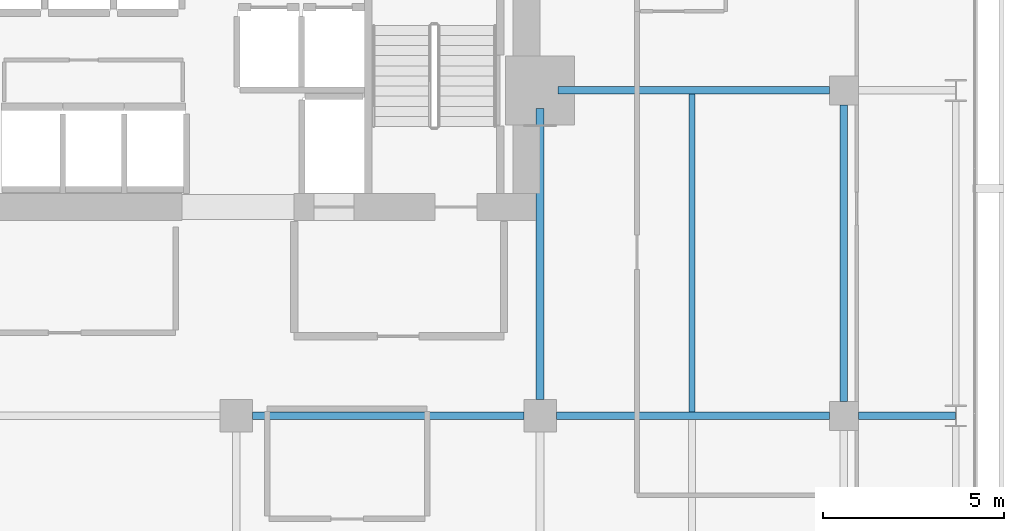
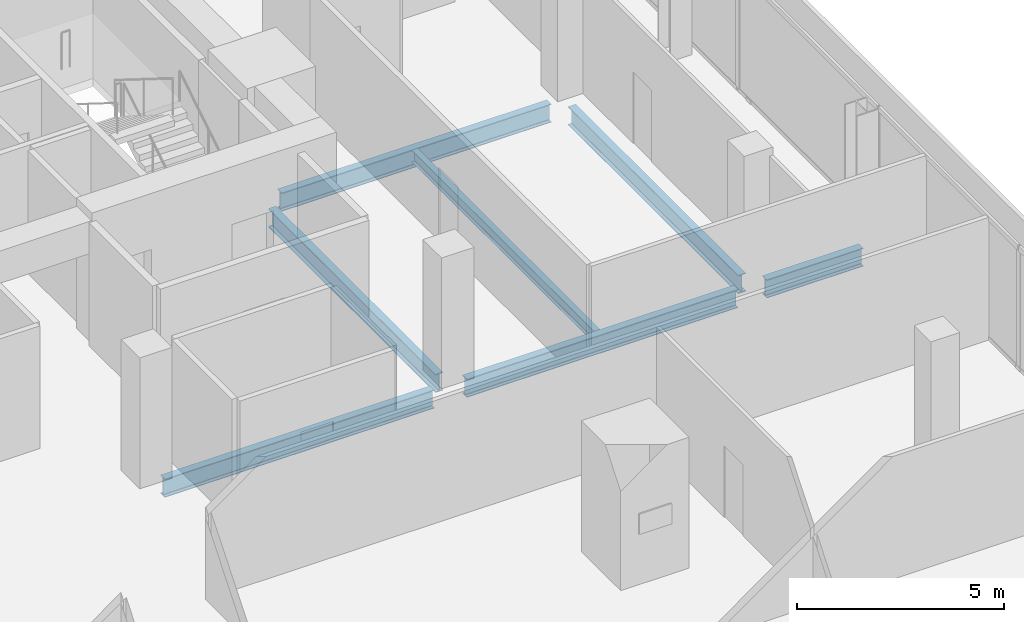
# One storey, part 23 of 33: 7 beams.
"""IFC4 building model written with IfcOpenShell, lengths in metres."""

from ifc_helpers import new_model, si_unit, direction, frame, origin, origin_2d, place, context, subcontext, project, spatial, i_section, extrude, material, material_profile, profile_set, type_object, element, save


model = new_model("IFC4")

# Units and contexts
model_context = context("Model", 3, precision=1e-05, world=origin(), true_north=direction((0.0, 1.0)))
body_context = subcontext(model_context, "Body", "Model", "MODEL_VIEW")
ifc_project = project(units=[si_unit("LENGTHUNIT", "METRE"), si_unit("AREAUNIT", "SQUARE_METRE"), si_unit("VOLUMEUNIT", "CUBIC_METRE"), si_unit("PLANEANGLEUNIT", "RADIAN"), si_unit("MASSUNIT", "GRAM", prefix="KILO")], contexts=[model_context])

# Site, building, storey
site_placement = place(None, origin())
site = spatial("IfcSite", under=ifc_project, at=site_placement, CompositionType="ELEMENT")
building_placement = place(site_placement, origin())
building = spatial("IfcBuilding", under=site, at=building_placement, Name="Maruvema Waterfront Hotel and Observation Tower", CompositionType="ELEMENT")
storey_placement = place(building_placement, frame((0.0, 0.0, 196.699951171875)))
storey = spatial("IfcBuildingStorey", under=building, at=storey_placement, Name="L48", CompositionType="ELEMENT", Elevation=196.699951171875)

# Beams
ifc_material_1 = material(Name="Steel ASTM A572 Grade 50", Category="steel")
ifc_material_profile_1 = material_profile(ifc_material_1, i_section(OverallWidth=0.2109375, OverallDepth=0.5390625, WebThickness=0.01171875, FlangeThickness=0.018798828125, FilletRadius=0.014892578125, at=origin_2d()), Name="W530x109.0")
ifc_profile_set_1 = profile_set([ifc_material_profile_1], Name="Steel ASTM A572 Grade 50")
beam_type_1 = type_object("IfcBeamType", Name="Primary Floor Girder W530x109.0", PredefinedType="BEAM", material=ifc_profile_set_1)
beam_1_placement = place(storey_placement, frame((42.449951171875, 36.0, -0.509521484375), z_axis=(1.0, 0.0, 0.0), x_axis=(0.0, 1.0, 0.0)))
element("IfcBeam", 1, at=beam_1_placement, inside=storey, type_object=beam_type_1, Name="L48 Floor Girder EW-27", PredefinedType="BEAM", context=body_context, shape_type="SweptSolid", body=[
    extrude(i_section(OverallWidth=0.2109375, OverallDepth=0.5390625, WebThickness=0.01171875, FlangeThickness=0.018798828125, FilletRadius=0.014892578125, at=origin_2d()), origin(), (0.0, 0.0, 1.0), 7.5),
])
beam_2_placement = place(storey_placement, frame((50.85009765625, 36.0, -0.509521484375), z_axis=(1.0, 0.0, 0.0), x_axis=(0.0, 1.0, 0.0)))
element("IfcBeam", 2, at=beam_2_placement, inside=storey, type_object=beam_type_1, Name="L48 Floor Girder EW-28", PredefinedType="BEAM", context=body_context, shape_type="SweptSolid", body=[
    extrude(i_section(OverallWidth=0.2109375, OverallDepth=0.5390625, WebThickness=0.01171875, FlangeThickness=0.018798828125, FilletRadius=0.014892578125, at=origin_2d()), origin(), (0.0, 0.0, 1.0), 7.5498046875),
])
beam_3_placement = place(storey_placement, frame((59.199951171875, 36.0, -0.509521484375), z_axis=(1.0, 0.0, 0.0), x_axis=(0.0, 1.0, 0.0)))
element("IfcBeam", 3, at=beam_3_placement, inside=storey, type_object=beam_type_1, Name="L48 Floor Girder EW-29", PredefinedType="BEAM", context=body_context, shape_type="SweptSolid", body=[
    extrude(i_section(OverallWidth=0.2109375, OverallDepth=0.5390625, WebThickness=0.01171875, FlangeThickness=0.018798828125, FilletRadius=0.014892578125, at=origin_2d()), origin(), (0.0, 0.0, 1.0), 2.6875),
])
beam_4_placement = place(storey_placement, frame((50.89990234375, 45.0, -0.509521484375), z_axis=(1.0, 0.0, 0.0), x_axis=(0.0, 1.0, 0.0)))
element("IfcBeam", 4, at=beam_4_placement, inside=storey, type_object=beam_type_1, Name="L48 Floor Girder EW-32", PredefinedType="BEAM", context=body_context, shape_type="SweptSolid", body=[
    extrude(i_section(OverallWidth=0.2109375, OverallDepth=0.5390625, WebThickness=0.01171875, FlangeThickness=0.018798828125, FilletRadius=0.014892578125, at=origin_2d()), origin(), (0.0, 0.0, 1.0), 7.5),
])
beam_5_placement = place(storey_placement, frame((50.39990234375, 36.449951171875, -0.509521484375), z_axis=(0.0, 1.0, 0.0), x_axis=(-1.0, 0.0, 0.0)))
element("IfcBeam", 5, at=beam_5_placement, inside=storey, type_object=beam_type_1, Name="L48 Floor Girder NS-24", PredefinedType="BEAM", context=body_context, shape_type="SweptSolid", body=[
    extrude(i_section(OverallWidth=0.2109375, OverallDepth=0.5390625, WebThickness=0.01171875, FlangeThickness=0.018798828125, FilletRadius=0.014892578125, at=origin_2d()), origin(), (0.0, 0.0, 1.0), 8.050048828125),
])
beam_6_placement = place(storey_placement, frame((58.800048828125, 36.39990234375, -0.509521484375), z_axis=(0.0, 1.0, 0.0), x_axis=(-1.0, 0.0, 0.0)))
element("IfcBeam", 6, at=beam_6_placement, inside=storey, type_object=beam_type_1, Name="L48 Floor Girder NS-28", PredefinedType="BEAM", context=body_context, shape_type="SweptSolid", body=[
    extrude(i_section(OverallWidth=0.2109375, OverallDepth=0.5390625, WebThickness=0.01171875, FlangeThickness=0.018798828125, FilletRadius=0.014892578125, at=origin_2d()), origin(), (0.0, 0.0, 1.0), 8.2001953125),
])
ifc_material_2 = material(Name="Steel ASTM A572 Grade 50", Category="steel")
ifc_material_profile_2 = material_profile(ifc_material_2, i_section(OverallWidth=0.1708984375, OverallDepth=0.35498046875, WebThickness=0.007080078125, FlangeThickness=0.01171875, FilletRadius=0.014892578125, at=origin_2d()), Name="W360x51.0")
ifc_profile_set_2 = profile_set([ifc_material_profile_2], Name="Steel ASTM A572 Grade 50")
beam_type_2 = type_object("IfcBeamType", Name="Secondary Floor Joist W360x51.0", PredefinedType="JOIST", material=ifc_profile_set_2)
beam_7_placement = place(storey_placement, frame((54.60009765625, 36.10546875, -0.41748046875), z_axis=(0.0, 1.0, 0.0), x_axis=(-1.0, 0.0, 0.0)))
element("IfcBeam", 7, at=beam_7_placement, inside=storey, type_object=beam_type_2, Name="L48 Secondary Floor Joist JS-14", PredefinedType="JOIST", context=body_context, shape_type="SweptSolid", body=[
    extrude(i_section(OverallWidth=0.1708984375, OverallDepth=0.35498046875, WebThickness=0.007080078125, FlangeThickness=0.01171875, FilletRadius=0.014892578125, at=origin_2d()), origin(), (0.0, 0.0, 1.0), 8.7890625),
])

save(model, "model.ifc")
